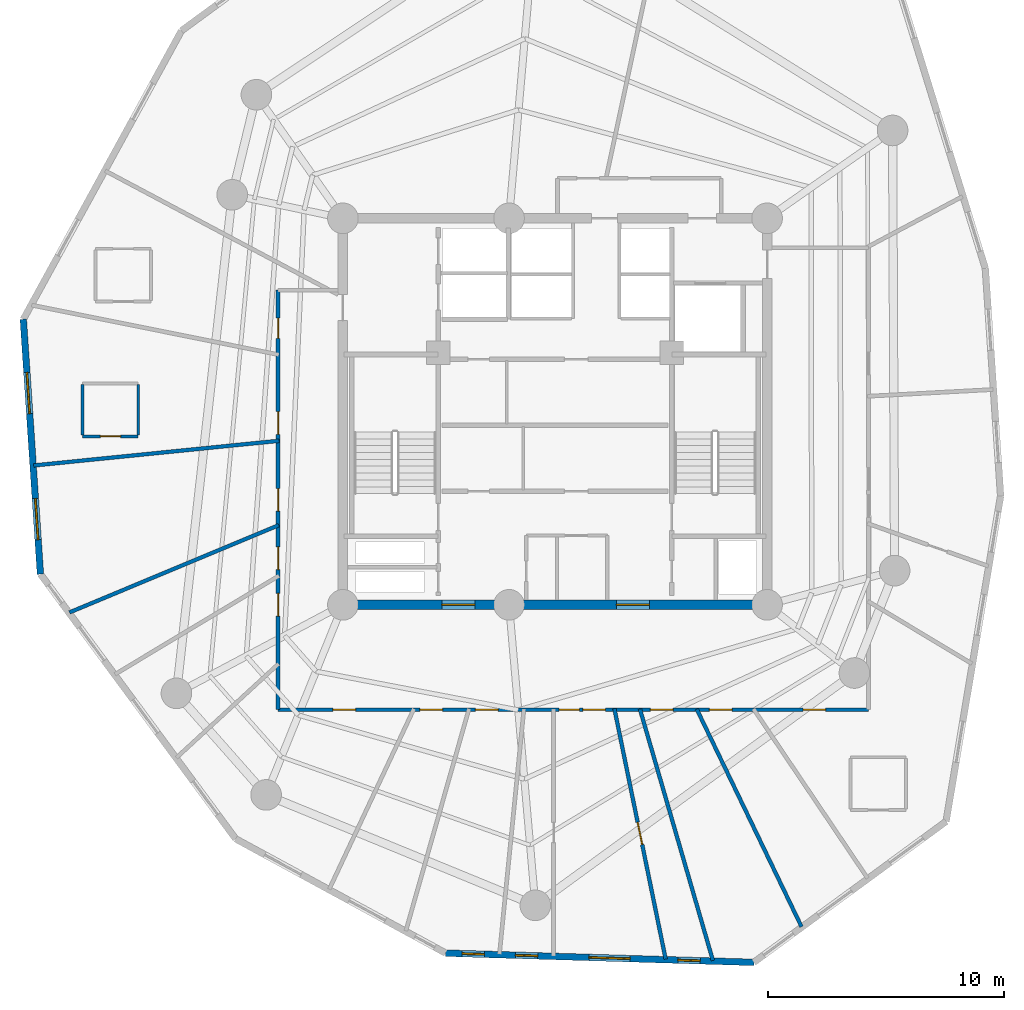
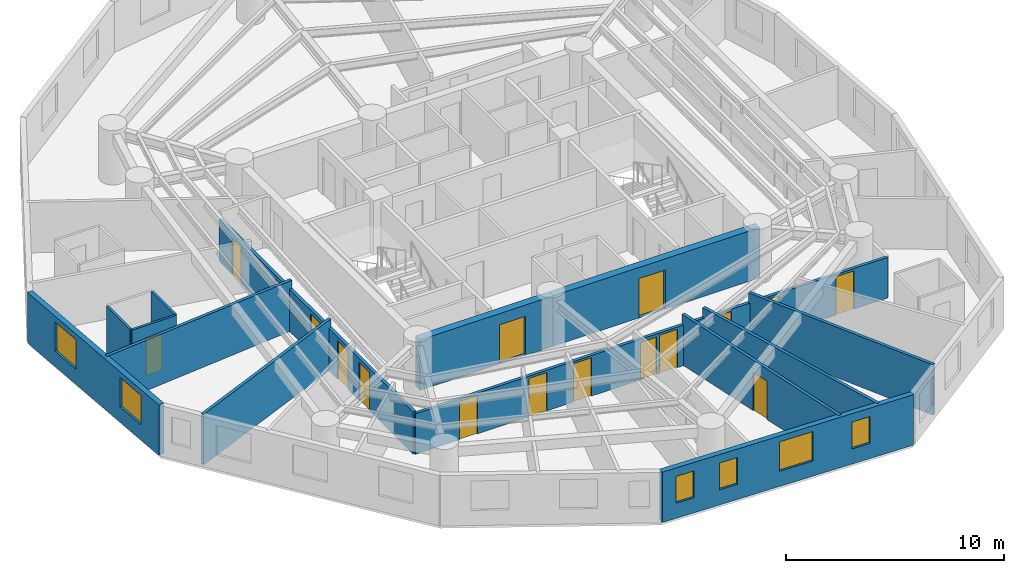
# One storey, part 3 of 7: 17 doors, 14 walls, 6 windows, 23 openings.
"""IFC4 building model written with IfcOpenShell, lengths in metres."""

import ifcopenshell
import ifcopenshell.guid

model = None  # the IFC model being written
_history = None  # IfcOwnerHistory: only IFC2X3 demands one
_inside = {}  # id of a spatial element -> (the spatial element, [elements in it])
_under = {}  # id of a project, library or spatial element -> (it, [spatial elements below it])
_declared = {}  # id of a project -> (the project, [libraries it declares])
_typed = {}  # id of a type object -> (the type object, [elements of that type])
_made_of = {}  # id of a material, layer set ... -> (it, [elements and type objects made of it])


def new_model(schema):
    """Start an empty IFC model of exactly this schema.

    Asked for "IFC4X3", IfcOpenShell would pick the latest addendum, in which some entities
    have other attributes; the version numbers below select the first issue.
    IFC2X3 requires an IfcOwnerHistory on every rooted entity: one is made here for all.
    """
    global model, _history
    if schema == "IFC4X3":
        model = ifcopenshell.file(schema_version=(4, 3, 0, 0))
    else:
        model = ifcopenshell.file(schema=schema)
    _inside.clear()
    _under.clear()
    _declared.clear()
    _typed.clear()
    _made_of.clear()
    _history = None
    if model.schema == "IFC2X3":
        org = make("IfcOrganization", Name="unknown")
        user = make(
            "IfcPersonAndOrganization",
            ThePerson=make("IfcPerson", FamilyName="unknown"),
            TheOrganization=org,
        )
        app = make(
            "IfcApplication",
            ApplicationDeveloper=org,
            Version="unknown",
            ApplicationFullName="unknown",
            ApplicationIdentifier="unknown",
        )
        _history = make(
            "IfcOwnerHistory",
            OwningUser=user,
            OwningApplication=app,
            ChangeAction="ADDED",
            CreationDate=0,
        )
    return model


def make(cls, **values):
    """One entity of the class cls with the attributes given. An attribute that is None is left unset."""
    return model.create_entity(
        cls, **{name: value for name, value in values.items() if value is not None}
    )


def rooted(cls, **values):
    """An entity with a GlobalId (a new one), such as an element, a storey or a relation."""
    return make(cls, GlobalId=ifcopenshell.guid.new(), OwnerHistory=_history, **values)


def si_unit(unit_type, name, prefix=None):
    """IfcSIUnit, for example si_unit("LENGTHUNIT", "METRE", prefix="MILLI")."""
    return make("IfcSIUnit", UnitType=unit_type, Prefix=prefix, Name=name)


def assignment(units):
    """IfcUnitAssignment: the units of a project."""
    return None if units is None else make("IfcUnitAssignment", Units=units)


def point(xyz):
    """IfcCartesianPoint."""
    return None if xyz is None else make("IfcCartesianPoint", Coordinates=xyz)


def direction(xyz):
    """IfcDirection."""
    return None if xyz is None else make("IfcDirection", DirectionRatios=xyz)


def frame(location, z_axis=None, x_axis=None):
    """IfcAxis2Placement3D, a coordinate frame: its origin and axes. An axis left out is left unset."""
    return make(
        "IfcAxis2Placement3D",
        Location=point(location),
        Axis=direction(z_axis),
        RefDirection=direction(x_axis),
    )


def frame_2d(location, x_axis=None):
    """IfcAxis2Placement2D, a coordinate frame in the plane: its origin and x axis."""
    return make(
        "IfcAxis2Placement2D", Location=point(location), RefDirection=direction(x_axis)
    )


def origin():
    """The frame at (0, 0, 0) with its axes left unset."""
    return frame((0.0, 0.0, 0.0))


def origin_with_axes():
    """The frame at (0, 0, 0) with the z axis (0, 0, 1) and the x axis (1, 0, 0) written out."""
    return frame((0.0, 0.0, 0.0), z_axis=(0.0, 0.0, 1.0), x_axis=(1.0, 0.0, 0.0))


def place(relative_to, where):
    """IfcLocalPlacement: puts the frame where relative to a parent placement (None: the world)."""
    return make(
        "IfcLocalPlacement", PlacementRelTo=relative_to, RelativePlacement=where
    )


def context(
    kind, dimensions, precision=None, world=None, true_north=None, identifier=None
):
    """IfcGeometricRepresentationContext, for example the 3D "Model" context."""
    return make(
        "IfcGeometricRepresentationContext",
        ContextIdentifier=identifier,
        ContextType=kind,
        CoordinateSpaceDimension=dimensions,
        Precision=precision,
        WorldCoordinateSystem=world,
        TrueNorth=true_north,
    )


def subcontext(parent, identifier, kind, view, scale=None):
    """IfcGeometricRepresentationSubContext, for example "Body" below "Model"."""
    return make(
        "IfcGeometricRepresentationSubContext",
        ContextIdentifier=identifier,
        ContextType=kind,
        ParentContext=parent,
        TargetScale=scale,
        TargetView=view,
    )


def project(units=None, contexts=None):
    """IfcProject with its units and contexts."""
    return rooted(
        "IfcProject",
        Name="project",
        RepresentationContexts=contexts,
        UnitsInContext=assignment(units),
    )


def spatial(cls, under=None, at=None, **own):
    """A site, building, storey or space (cls), placed at a placement, below another one or the project."""
    s = rooted(cls, ObjectPlacement=at, **own)
    if under is not None:
        _under.setdefault(under.id(), (under, []))[1].append(s)
    return s


def profile(cls, at=None, kind="AREA", **sizes):
    """A parametric profile (cls). Its sizes go by their IFC names, for example OverallWidth=200.0."""
    return make(cls, ProfileType=kind, Position=at, **sizes)


def rectangle(**sizes):
    """IfcRectangleProfileDef."""
    return profile("IfcRectangleProfileDef", **sizes)


def extrude(swept, where, along, depth):
    """IfcExtrudedAreaSolid: the profile swept, set in the frame where, extruded along a direction by depth."""
    return make(
        "IfcExtrudedAreaSolid",
        SweptArea=swept,
        Position=where,
        ExtrudedDirection=direction(along),
        Depth=depth,
    )


def shape(context_of_items, identifier, shape_type, items):
    """IfcShapeRepresentation: the items that make up one representation, for example the "Body"."""
    return make(
        "IfcShapeRepresentation",
        ContextOfItems=context_of_items,
        RepresentationIdentifier=identifier,
        RepresentationType=shape_type,
        Items=items,
    )


def source(mapping_origin, context_of_items, identifier, shape_type, items):
    """IfcRepresentationMap: a shape defined once, which mapped items show again and again."""
    return make(
        "IfcRepresentationMap",
        MappingOrigin=mapping_origin,
        MappedRepresentation=shape(context_of_items, identifier, shape_type, items),
    )


def transform(
    local_origin,
    x_axis=None,
    y_axis=None,
    z_axis=None,
    scale=None,
    scale2=None,
    scale3=None,
    uniform=True,
):
    """IfcCartesianTransformationOperator3D, or its non-uniform kind. x_axis, y_axis, z_axis: its Axis1, 2, 3."""
    if uniform:
        return make(
            "IfcCartesianTransformationOperator3D",
            Axis1=direction(x_axis),
            Axis2=direction(y_axis),
            LocalOrigin=point(local_origin),
            Scale=scale,
            Axis3=direction(z_axis),
        )
    return make(
        "IfcCartesianTransformationOperator3DnonUniform",
        Axis1=direction(x_axis),
        Axis2=direction(y_axis),
        LocalOrigin=point(local_origin),
        Scale=scale,
        Axis3=direction(z_axis),
        Scale2=scale2,
        Scale3=scale3,
    )


def mapped(mapping_source, mapping_target):
    """IfcMappedItem: shows the shape of a source again, moved by a transform."""
    return make(
        "IfcMappedItem", MappingSource=mapping_source, MappingTarget=mapping_target
    )


def material(Name=None, Category=None):
    """IfcMaterial."""
    return make("IfcMaterial", Name=Name, Category=Category)


def layer(
    of_material, thickness, ventilated=None, Name=None, Category=None, Priority=None
):
    """IfcMaterialLayer: one layer of a wall or slab, of a material (None: an air gap)."""
    return make(
        "IfcMaterialLayer",
        Material=of_material,
        LayerThickness=thickness,
        IsVentilated=ventilated,
        Name=Name,
        Category=Category,
        Priority=Priority,
    )


def layer_set(layers, Name=None):
    """IfcMaterialLayerSet."""
    return make("IfcMaterialLayerSet", MaterialLayers=layers, LayerSetName=Name)


def made_of(thing, what):
    """Note that an element or type object is made of a material, layer set ...; save() writes the relation."""
    if what is not None:
        _made_of.setdefault(what.id(), (what, []))[1].append(thing)
    return thing


def type_object(cls, material=None, **own):
    """A type object (cls), such as IfcWallType, which elements share."""
    return made_of(rooted(cls, **own), material)


def element(
    cls,
    number,
    at=None,
    inside=None,
    cuts=None,
    type_object=None,
    material=None,
    context=None,
    identifier="Body",
    shape_type=None,
    held_by="IfcProductDefinitionShape",
    body=None,
    shapes=None,
    **own,
):
    """One element of the class cls, such as IfcWall. Its Tag is "e" and its number.

    at: its placement. inside: the storey or other place that contains it. cuts: it is an
    opening in that element (IfcRelVoidsElement). A single representation is given by context,
    identifier, shape_type and body (its items); several are given by shapes. held_by: the class
    of the entity that holds the representations. save() writes the other relations.
    """
    e = rooted(cls, Tag="e%d" % number, ObjectPlacement=at, **own)
    if body is not None:
        shapes = [shape(context, identifier, shape_type, body)]
    if shapes is not None:
        e.Representation = make(held_by, Representations=shapes)
    if inside is not None:
        _inside.setdefault(inside.id(), (inside, []))[1].append(e)
    if cuts is not None:
        rooted(
            "IfcRelVoidsElement", RelatingBuildingElement=cuts, RelatedOpeningElement=e
        )
    if type_object is not None:
        _typed.setdefault(type_object.id(), (type_object, []))[1].append(e)
    return made_of(e, material)


def fill(opening, filler):
    """IfcRelFillsElement: the door or window that sits in an opening."""
    return rooted(
        "IfcRelFillsElement",
        RelatingOpeningElement=opening,
        RelatedBuildingElement=filler,
    )


def aggregate(whole, parts):
    """IfcRelAggregates: a whole, such as a stair, and the parts it consists of."""
    return rooted("IfcRelAggregates", RelatingObject=whole, RelatedObjects=parts)


def save(model, path):
    """Write the relations noted so far, then the file.

    IfcRelAggregates (storeys below a building ...), IfcRelContainedInSpatialStructure (elements
    in a storey), IfcRelDefinesByType, IfcRelAssociatesMaterial and IfcRelDeclares: one each for
    every whole, place, type object, material and project.
    """
    for whole, parts in _under.values():
        aggregate(whole, parts)
    for where, things in _inside.values():
        rooted(
            "IfcRelContainedInSpatialStructure",
            RelatedElements=things,
            RelatingStructure=where,
        )
    for kind, things in _typed.values():
        rooted("IfcRelDefinesByType", RelatedObjects=things, RelatingType=kind)
    for what, things in _made_of.values():
        rooted("IfcRelAssociatesMaterial", RelatedObjects=things, RelatingMaterial=what)
    for by, libraries in _declared.values():
        rooted("IfcRelDeclares", RelatingContext=by, RelatedDefinitions=libraries)
    model.write(path)


model = new_model("IFC4")

# Units and contexts
model_context = context("Model", 3, precision=1e-05, world=origin(), true_north=direction((0.0, 1.0)))
body_context = subcontext(model_context, "Body", "Model", "MODEL_VIEW")
ifc_project = project(units=[si_unit("LENGTHUNIT", "METRE"), si_unit("AREAUNIT", "SQUARE_METRE"), si_unit("VOLUMEUNIT", "CUBIC_METRE"), si_unit("PLANEANGLEUNIT", "RADIAN"), si_unit("MASSUNIT", "GRAM", prefix="KILO")], contexts=[model_context])

# Site, building, storey
site_placement = place(None, origin())
site = spatial("IfcSite", under=ifc_project, at=site_placement, CompositionType="ELEMENT")
building_placement = place(site_placement, origin())
building = spatial("IfcBuilding", under=site, at=building_placement, Name="Karkom Vertical University and Central Library", CompositionType="ELEMENT")
storey_placement = place(building_placement, frame((0.0, 0.0, 196.199951171875)))
storey = spatial("IfcBuildingStorey", under=building, at=storey_placement, Name="L57", CompositionType="ELEMENT", Elevation=196.199951171875)

# Wall, openings, windows
ifc_material_1 = material(Name="Brick-faced precast concrete C45/55", Category="masonry")
ifc_layer_1 = layer(ifc_material_1, 0.280029296875)
ifc_layer_set_1 = layer_set([ifc_layer_1], Name="Brick-faced precast concrete C45/55")
wall_type_1 = type_object("IfcWallType", Name="ENV-WL-BRK-280", PredefinedType="SOLIDWALL", material=ifc_layer_set_1)
wall_1_placement = place(storey_placement, frame((5.938232421875, 30.41845703125, 0.0), z_axis=(0.0, 0.0, 1.0), x_axis=(0.066973382018, -0.997754762505, 0.0)))
wall_1 = element("IfcWall", 1, at=wall_1_placement, inside=storey, type_object=wall_type_1, Name="Level 57 Brick-Faced Precast Facade Wall 01", PredefinedType="SOLIDWALL", context=body_context, shape_type="SweptSolid", body=[
    extrude(rectangle(XDim=10.84130859375, YDim=0.280029296875, at=frame_2d((5.420654296875, 0.0))), origin(), (0.0, 0.0, 1.0), 2.824951171875),
])
opening_1_placement = place(wall_1_placement, frame((2.265380859375, 0.0, 0.85009765625)))
opening_1 = element("IfcOpeningElement", 2, at=opening_1_placement, cuts=wall_1, Name="Opening WN-08", PredefinedType="OPENING", context=body_context, shape_type="SweptSolid", body=[
    extrude(rectangle(XDim=1.75, YDim=1.64990234375, at=frame_2d((0.875, 0.824951171875))), frame((0.0, 0.14990234375, 0.0), z_axis=(0.0, -1.0, 0.0), x_axis=(1.0, 0.0, 0.0)), (0.0, 0.0, 1.0), 0.300048828125),
])
opening_2_placement = place(wall_1_placement, frame((7.6259765625, 0.0, 0.85009765625)))
opening_2 = element("IfcOpeningElement", 3, at=opening_2_placement, cuts=wall_1, Name="Opening WN-08", PredefinedType="OPENING", context=body_context, shape_type="SweptSolid", body=[
    extrude(rectangle(XDim=1.75, YDim=1.64990234375, at=frame_2d((0.875, 0.824951171875))), frame((0.0, 0.14990234375, 0.0), z_axis=(0.0, -1.0, 0.0), x_axis=(1.0, 0.0, 0.0)), (0.0, 0.0, 1.0), 0.300048828125),
])
ifc_material_2 = material(Name="Aluminium thermal-break frame with solar-control IGU", Category="aluminium")
window_type_1 = type_object("IfcWindowType", Name="ENV-WIN-WN-08", PartitioningType="SINGLE_PANEL", PredefinedType="WINDOW", material=ifc_material_2)
shared_shape_1 = source(origin_with_axes(), body_context, "Body", "SweptSolid", [
    extrude(rectangle(XDim=1.75, YDim=1.64990234375, at=frame_2d((0.875, 0.824951171875))), frame((0.0, 0.030029296875, 0.0), z_axis=(0.0, -1.0, 0.0), x_axis=(1.0, 0.0, 0.0)), (0.0, 0.0, 1.0), 0.06005859375),
])
window_1_placement = place(opening_1_placement, origin())
window_1 = element("IfcWindow", 4, at=window_1_placement, inside=storey, type_object=window_type_1, Name="Level 57 Punched Window 1.1", OverallHeight=1.64990234375, OverallWidth=1.75, PartitioningType="SINGLE_PANEL", PredefinedType="WINDOW", context=body_context, shape_type="MappedRepresentation", body=[
    mapped(shared_shape_1, transform((0.0, 0.0, 0.0), scale=1.0)),
])
fill(opening_1, window_1)
window_2_placement = place(opening_2_placement, origin())
window_2 = element("IfcWindow", 5, at=window_2_placement, inside=storey, type_object=window_type_1, Name="Level 57 Punched Window 1.2", OverallHeight=1.64990234375, OverallWidth=1.75, PartitioningType="SINGLE_PANEL", PredefinedType="WINDOW", context=body_context, shape_type="MappedRepresentation", body=[
    mapped(shared_shape_1, transform((0.0, 0.0, 0.0), scale=1.0)),
])
fill(opening_2, window_2)

wall_2_placement = place(storey_placement, frame((23.85400390625, 3.520263671875, 0.0), z_axis=(0.0, 0.0, 1.0), x_axis=(0.999549542864, -0.03001185367, 0.0)))
wall_2 = element("IfcWall", 6, at=wall_2_placement, inside=storey, type_object=wall_type_1, Name="Level 57 Brick-Faced Precast Facade Wall 04", PredefinedType="SOLIDWALL", context=body_context, shape_type="SweptSolid", body=[
    extrude(rectangle(XDim=13.0888671875, YDim=0.280029296875, at=frame_2d((6.54443359375, 0.0))), origin(), (0.0, 0.0, 1.0), 2.824951171875),
])
opening_3_placement = place(wall_2_placement, frame((0.70068359375, 0.0, 0.85009765625)))
opening_3 = element("IfcOpeningElement", 7, at=opening_3_placement, cuts=wall_2, Name="Opening WN-12", PredefinedType="OPENING", context=body_context, shape_type="SweptSolid", body=[
    extrude(rectangle(XDim=0.949951171875, YDim=1.5, at=frame_2d((0.47509765625, 0.75))), frame((0.0, 0.14990234375, 0.0), z_axis=(0.0, -1.0, 0.0), x_axis=(1.0, 0.0, 0.0)), (0.0, 0.0, 1.0), 0.300048828125),
])
opening_4_placement = place(wall_2_placement, frame((2.96435546875, 0.0, 0.85009765625)))
opening_4 = element("IfcOpeningElement", 8, at=opening_4_placement, cuts=wall_2, Name="Opening WN-12", PredefinedType="OPENING", context=body_context, shape_type="SweptSolid", body=[
    extrude(rectangle(XDim=0.949951171875, YDim=1.5, at=frame_2d((0.47509765625, 0.75))), frame((0.0, 0.14990234375, 0.0), z_axis=(0.0, -1.0, 0.0), x_axis=(1.0, 0.0, 0.0)), (0.0, 0.0, 1.0), 0.300048828125),
])
opening_5_placement = place(wall_2_placement, frame((6.0869140625, 0.0, 0.85009765625)))
opening_5 = element("IfcOpeningElement", 9, at=opening_5_placement, cuts=wall_2, Name="Opening WN-08", PredefinedType="OPENING", context=body_context, shape_type="SweptSolid", body=[
    extrude(rectangle(XDim=1.75, YDim=1.64990234375, at=frame_2d((0.875, 0.824951171875))), frame((0.0, 0.14990234375, 0.0), z_axis=(0.0, -1.0, 0.0), x_axis=(1.0, 0.0, 0.0)), (0.0, 0.0, 1.0), 0.300048828125),
])
opening_6_placement = place(wall_2_placement, frame((9.86279296875, 0.0, 0.85009765625)))
opening_6 = element("IfcOpeningElement", 10, at=opening_6_placement, cuts=wall_2, Name="Opening WN-12", PredefinedType="OPENING", context=body_context, shape_type="SweptSolid", body=[
    extrude(rectangle(XDim=0.949951171875, YDim=1.5, at=frame_2d((0.47509765625, 0.75))), frame((0.0, 0.14990234375, 0.0), z_axis=(0.0, -1.0, 0.0), x_axis=(1.0, 0.0, 0.0)), (0.0, 0.0, 1.0), 0.300048828125),
])
window_type_2 = type_object("IfcWindowType", Name="ENV-WIN-WN-12", PartitioningType="SINGLE_PANEL", PredefinedType="WINDOW", material=ifc_material_2)
shared_shape_2 = source(origin_with_axes(), body_context, "Body", "SweptSolid", [
    extrude(rectangle(XDim=0.949951171875, YDim=1.5, at=frame_2d((0.47509765625, 0.75))), frame((0.0, 0.030029296875, 0.0), z_axis=(0.0, -1.0, 0.0), x_axis=(1.0, 0.0, 0.0)), (0.0, 0.0, 1.0), 0.06005859375),
])
window_3_placement = place(opening_3_placement, origin())
window_3 = element("IfcWindow", 11, at=window_3_placement, inside=storey, type_object=window_type_2, Name="Level 57 Punched Window 4.1", OverallHeight=1.5, OverallWidth=0.949951171875, PartitioningType="SINGLE_PANEL", PredefinedType="WINDOW", context=body_context, shape_type="MappedRepresentation", body=[
    mapped(shared_shape_2, transform((0.0, 0.0, 0.0), scale=1.0)),
])
fill(opening_3, window_3)
window_4_placement = place(opening_4_placement, origin())
window_4 = element("IfcWindow", 12, at=window_4_placement, inside=storey, type_object=window_type_2, Name="Level 57 Punched Window 4.2", OverallHeight=1.5, OverallWidth=0.949951171875, PartitioningType="SINGLE_PANEL", PredefinedType="WINDOW", context=body_context, shape_type="MappedRepresentation", body=[
    mapped(shared_shape_2, transform((0.0, 0.0, 0.0), scale=1.0)),
])
fill(opening_4, window_4)
window_5_placement = place(opening_6_placement, origin())
window_5 = element("IfcWindow", 13, at=window_5_placement, inside=storey, type_object=window_type_2, Name="Level 57 Punched Window 4.4", OverallHeight=1.5, OverallWidth=0.949951171875, PartitioningType="SINGLE_PANEL", PredefinedType="WINDOW", context=body_context, shape_type="MappedRepresentation", body=[
    mapped(shared_shape_2, transform((0.0, 0.0, 0.0), scale=1.0)),
])
fill(opening_6, window_5)
window_6_placement = place(opening_5_placement, origin())
window_6 = element("IfcWindow", 14, at=window_6_placement, inside=storey, type_object=window_type_1, Name="Level 57 Punched Window 4.3", OverallHeight=1.64990234375, OverallWidth=1.75, PartitioningType="SINGLE_PANEL", PredefinedType="WINDOW", context=body_context, shape_type="MappedRepresentation", body=[
    mapped(shared_shape_1, transform((0.0, 0.0, 0.0), scale=1.0)),
])
fill(opening_5, window_6)

# Wall, openings, doors
ifc_material_3 = material(Name="Insulated metal-stud drywall 160mm", Category="gypsum")
ifc_layer_2 = layer(ifc_material_3, 0.159912109375)
ifc_layer_set_2 = layer_set([ifc_layer_2], Name="Insulated metal-stud drywall 160mm")
wall_type_2 = type_object("IfcWallType", Name="INT-WL-COR-160", PredefinedType="PARTITIONING", material=ifc_layer_set_2)
wall_3_placement = place(storey_placement, frame((41.800048828125, 13.85009765625, 0.0), z_axis=(0.0, 0.0, 1.0), x_axis=(-1.0, 0.0, 0.0)))
wall_3 = element("IfcWall", 15, at=wall_3_placement, inside=storey, type_object=wall_type_2, Name="Level 57 Interior Partition Wall L57-CORW-CW-001", PredefinedType="PARTITIONING", context=body_context, shape_type="SweptSolid", body=[
    extrude(rectangle(XDim=25.050048828125, YDim=0.159912109375, at=frame_2d((12.52490234375, 0.0))), origin(), (0.0, 0.0, 1.0), 2.275146484375),
])
opening_7_placement = place(wall_3_placement, frame((1.812255859375, 0.0, 0.0)))
opening_7 = element("IfcOpeningElement", 16, at=opening_7_placement, cuts=wall_3, Name="Opening FD-RM2", PredefinedType="OPENING", context=body_context, shape_type="SweptSolid", body=[
    extrude(rectangle(XDim=0.9599609375, YDim=2.14990234375, at=frame_2d((0.47998046875, 1.074951171875))), frame((0.0, 0.08984375, 0.0), z_axis=(0.0, -1.0, 0.0), x_axis=(1.0, 0.0, 0.0)), (0.0, 0.0, 1.0), 0.179931640625),
])
opening_8_placement = place(wall_3_placement, frame((21.760986328125, 0.0, 0.0)))
opening_8 = element("IfcOpeningElement", 17, at=opening_8_placement, cuts=wall_3, Name="Opening FD-RM2", PredefinedType="OPENING", context=body_context, shape_type="SweptSolid", body=[
    extrude(rectangle(XDim=0.9599609375, YDim=2.14990234375, at=frame_2d((0.47998046875, 1.074951171875))), frame((0.0, 0.08984375, 0.0), z_axis=(0.0, -1.0, 0.0), x_axis=(1.0, 0.0, 0.0)), (0.0, 0.0, 1.0), 0.179931640625),
])
opening_9_placement = place(wall_3_placement, frame((18.072509765625, 0.0, 0.0)))
opening_9 = element("IfcOpeningElement", 18, at=opening_9_placement, cuts=wall_3, Name="Opening FD-RM2", PredefinedType="OPENING", context=body_context, shape_type="SweptSolid", body=[
    extrude(rectangle(XDim=0.9599609375, YDim=2.14990234375, at=frame_2d((0.47998046875, 1.074951171875))), frame((0.0, 0.08984375, 0.0), z_axis=(0.0, -1.0, 0.0), x_axis=(1.0, 0.0, 0.0)), (0.0, 0.0, 1.0), 0.179931640625),
])
opening_10_placement = place(wall_3_placement, frame((15.717529296875, 0.0, 0.0)))
opening_10 = element("IfcOpeningElement", 19, at=opening_10_placement, cuts=wall_3, Name="Opening FD-RM2", PredefinedType="OPENING", context=body_context, shape_type="SweptSolid", body=[
    extrude(rectangle(XDim=0.9599609375, YDim=2.14990234375, at=frame_2d((0.47998046875, 1.074951171875))), frame((0.0, 0.08984375, 0.0), z_axis=(0.0, -1.0, 0.0), x_axis=(1.0, 0.0, 0.0)), (0.0, 0.0, 1.0), 0.179931640625),
])
opening_11_placement = place(wall_3_placement, frame((12.264404296875, 0.0, 0.0)))
opening_11 = element("IfcOpeningElement", 20, at=opening_11_placement, cuts=wall_3, Name="Opening FD-BTH1", PredefinedType="OPENING", context=body_context, shape_type="SweptSolid", body=[
    extrude(rectangle(XDim=0.860107421875, YDim=2.10009765625, at=frame_2d((0.43017578125, 1.050048828125))), frame((0.0, 0.08984375, 0.0), z_axis=(0.0, -1.0, 0.0), x_axis=(1.0, 0.0, 0.0)), (0.0, 0.0, 1.0), 0.179931640625),
])
opening_12_placement = place(wall_3_placement, frame((11.159912109375, 0.0, 0.0)))
opening_12 = element("IfcOpeningElement", 21, at=opening_12_placement, cuts=wall_3, Name="Opening FD-RM2", PredefinedType="OPENING", context=body_context, shape_type="SweptSolid", body=[
    extrude(rectangle(XDim=0.9599609375, YDim=2.14990234375, at=frame_2d((0.47998046875, 1.074951171875))), frame((0.0, 0.08984375, 0.0), z_axis=(0.0, -1.0, 0.0), x_axis=(1.0, 0.0, 0.0)), (0.0, 0.0, 1.0), 0.179931640625),
])
opening_13_placement = place(wall_3_placement, frame((8.29248046875, 0.0, 0.0)))
opening_13 = element("IfcOpeningElement", 22, at=opening_13_placement, cuts=wall_3, Name="Opening FD-RM2", PredefinedType="OPENING", context=body_context, shape_type="SweptSolid", body=[
    extrude(rectangle(XDim=0.9599609375, YDim=2.14990234375, at=frame_2d((0.47998046875, 1.074951171875))), frame((0.0, 0.08984375, 0.0), z_axis=(0.0, -1.0, 0.0), x_axis=(1.0, 0.0, 0.0)), (0.0, 0.0, 1.0), 0.179931640625),
])
opening_14_placement = place(wall_3_placement, frame((5.78759765625, 0.0, 0.0)))
opening_14 = element("IfcOpeningElement", 23, at=opening_14_placement, cuts=wall_3, Name="Opening FD-RM2", PredefinedType="OPENING", context=body_context, shape_type="SweptSolid", body=[
    extrude(rectangle(XDim=0.9599609375, YDim=2.14990234375, at=frame_2d((0.47998046875, 1.074951171875))), frame((0.0, 0.08984375, 0.0), z_axis=(0.0, -1.0, 0.0), x_axis=(1.0, 0.0, 0.0)), (0.0, 0.0, 1.0), 0.179931640625),
])
ifc_material_4 = material(Name="Fire-rated oak veneer door", Category="wood")
door_type_1 = type_object("IfcDoorType", Name="INT-DR-FRM2", OperationType="NOTDEFINED", PredefinedType="DOOR", material=ifc_material_4)
shared_shape_3 = source(origin_with_axes(), body_context, "Body", "SweptSolid", [
    extrude(rectangle(XDim=0.9599609375, YDim=2.14990234375, at=frame_2d((0.47998046875, 1.074951171875))), frame((0.0, 0.02490234375, 0.0), z_axis=(0.0, -1.0, 0.0), x_axis=(1.0, 0.0, 0.0)), (0.0, 0.0, 1.0), 0.050048828125),
])
door_1_placement = place(opening_7_placement, origin())
door_1 = element("IfcDoor", 24, at=door_1_placement, inside=storey, type_object=door_type_1, Name="Level 57 Room Entry Door 110", OperationType="SINGLE_SWING_RIGHT", OverallHeight=2.14990234375, OverallWidth=0.9599609375, PredefinedType="DOOR", context=body_context, shape_type="MappedRepresentation", body=[
    mapped(shared_shape_3, transform((0.0, 0.0, 0.0), scale=1.0)),
])
fill(opening_7, door_1)
door_2_placement = place(opening_8_placement, origin())
door_2 = element("IfcDoor", 25, at=door_2_placement, inside=storey, type_object=door_type_1, Name="Level 57 Room Entry Door 031", OperationType="SINGLE_SWING_LEFT", OverallHeight=2.14990234375, OverallWidth=0.9599609375, PredefinedType="DOOR", context=body_context, shape_type="MappedRepresentation", body=[
    mapped(shared_shape_3, transform((0.0, 0.0, 0.0), scale=1.0)),
])
fill(opening_8, door_2)
door_3_placement = place(opening_9_placement, origin())
door_3 = element("IfcDoor", 26, at=door_3_placement, inside=storey, type_object=door_type_1, Name="Level 57 Room Entry Door 041", OperationType="SINGLE_SWING_RIGHT", OverallHeight=2.14990234375, OverallWidth=0.9599609375, PredefinedType="DOOR", context=body_context, shape_type="MappedRepresentation", body=[
    mapped(shared_shape_3, transform((0.0, 0.0, 0.0), scale=1.0)),
])
fill(opening_9, door_3)
door_4_placement = place(opening_10_placement, origin())
door_4 = element("IfcDoor", 27, at=door_4_placement, inside=storey, type_object=door_type_1, Name="Level 57 Room Entry Door 051", OperationType="SINGLE_SWING_LEFT", OverallHeight=2.14990234375, OverallWidth=0.9599609375, PredefinedType="DOOR", context=body_context, shape_type="MappedRepresentation", body=[
    mapped(shared_shape_3, transform((0.0, 0.0, 0.0), scale=1.0)),
])
fill(opening_10, door_4)
door_5_placement = place(opening_12_placement, origin())
door_5 = element("IfcDoor", 28, at=door_5_placement, inside=storey, type_object=door_type_1, Name="Level 57 Room Entry Door 071", OperationType="SINGLE_SWING_LEFT", OverallHeight=2.14990234375, OverallWidth=0.9599609375, PredefinedType="DOOR", context=body_context, shape_type="MappedRepresentation", body=[
    mapped(shared_shape_3, transform((0.0, 0.0, 0.0), scale=1.0)),
])
fill(opening_12, door_5)
door_6_placement = place(opening_13_placement, origin())
door_6 = element("IfcDoor", 29, at=door_6_placement, inside=storey, type_object=door_type_1, Name="Level 57 Room Entry Door 091", OperationType="SINGLE_SWING_RIGHT", OverallHeight=2.14990234375, OverallWidth=0.9599609375, PredefinedType="DOOR", context=body_context, shape_type="MappedRepresentation", body=[
    mapped(shared_shape_3, transform((0.0, 0.0, 0.0), scale=1.0)),
])
fill(opening_13, door_6)
door_7_placement = place(opening_14_placement, origin())
door_7 = element("IfcDoor", 30, at=door_7_placement, inside=storey, type_object=door_type_1, Name="Level 57 Room Entry Door 101", OperationType="SINGLE_SWING_LEFT", OverallHeight=2.14990234375, OverallWidth=0.9599609375, PredefinedType="DOOR", context=body_context, shape_type="MappedRepresentation", body=[
    mapped(shared_shape_3, transform((0.0, 0.0, 0.0), scale=1.0)),
])
fill(opening_14, door_7)
ifc_material_5 = material(Name="Fire-rated moisture-resistant oak door", Category="wood")
door_type_2 = type_object("IfcDoorType", Name="INT-DR-FBTH1", OperationType="NOTDEFINED", PredefinedType="DOOR", material=ifc_material_5)
shared_shape_4 = source(origin_with_axes(), body_context, "Body", "SweptSolid", [
    extrude(rectangle(XDim=0.860107421875, YDim=2.10009765625, at=frame_2d((0.43017578125, 1.050048828125))), frame((0.0, 0.02490234375, 0.0), z_axis=(0.0, -1.0, 0.0), x_axis=(1.0, 0.0, 0.0)), (0.0, 0.0, 1.0), 0.050048828125),
])
door_8_placement = place(opening_11_placement, origin())
door_8 = element("IfcDoor", 31, at=door_8_placement, inside=storey, type_object=door_type_2, Name="Level 57 Room Entry Door 061", OperationType="SINGLE_SWING_RIGHT", OverallHeight=2.10009765625, OverallWidth=0.860107421875, PredefinedType="DOOR", context=body_context, shape_type="MappedRepresentation", body=[
    mapped(shared_shape_4, transform((0.0, 0.0, 0.0), scale=1.0)),
])
fill(opening_11, door_8)

wall_4_placement = place(storey_placement, frame((16.75, 13.85009765625, 0.0), z_axis=(0.0, 0.0, 1.0), x_axis=(0.0, 1.0, 0.0)))
wall_4 = element("IfcWall", 32, at=wall_4_placement, inside=storey, type_object=wall_type_2, Name="Level 57 Interior Partition Wall L57-CORW-CW-002", PredefinedType="PARTITIONING", context=body_context, shape_type="SweptSolid", body=[
    extrude(rectangle(XDim=17.7998046875, YDim=0.159912109375, at=frame_2d((8.89990234375, 0.0))), origin(), (0.0, 0.0, 1.0), 2.375),
])
opening_15_placement = place(wall_4_placement, frame((11.68505859375, 0.0, 0.0)))
opening_15 = element("IfcOpeningElement", 33, at=opening_15_placement, cuts=wall_4, Name="Opening FD-RM2", PredefinedType="OPENING", context=body_context, shape_type="SweptSolid", body=[
    extrude(rectangle(XDim=0.9599609375, YDim=2.14990234375, at=frame_2d((0.47998046875, 1.074951171875))), frame((0.0, 0.08984375, 0.0), z_axis=(0.0, -1.0, 0.0), x_axis=(1.0, 0.0, 0.0)), (0.0, 0.0, 1.0), 0.179931640625),
])
opening_16_placement = place(wall_4_placement, frame((8.425048828125, 0.0, 0.0)))
opening_16 = element("IfcOpeningElement", 34, at=opening_16_placement, cuts=wall_4, Name="Opening FD-RM2", PredefinedType="OPENING", context=body_context, shape_type="SweptSolid", body=[
    extrude(rectangle(XDim=0.9599609375, YDim=2.14990234375, at=frame_2d((0.47998046875, 1.074951171875))), frame((0.0, 0.08984375, 0.0), z_axis=(0.0, -1.0, 0.0), x_axis=(1.0, 0.0, 0.0)), (0.0, 0.0, 1.0), 0.179931640625),
])
opening_17_placement = place(wall_4_placement, frame((5.945068359375, 0.0, 0.0)))
opening_17 = element("IfcOpeningElement", 35, at=opening_17_placement, cuts=wall_4, Name="Opening FD-RM2", PredefinedType="OPENING", context=body_context, shape_type="SweptSolid", body=[
    extrude(rectangle(XDim=0.9599609375, YDim=2.14990234375, at=frame_2d((0.47998046875, 1.074951171875))), frame((0.0, 0.08984375, 0.0), z_axis=(0.0, -1.0, 0.0), x_axis=(1.0, 0.0, 0.0)), (0.0, 0.0, 1.0), 0.179931640625),
])
opening_18_placement = place(wall_4_placement, frame((3.97509765625, 0.0, 0.0)))
opening_18 = element("IfcOpeningElement", 36, at=opening_18_placement, cuts=wall_4, Name="Opening FD-RM2", PredefinedType="OPENING", context=body_context, shape_type="SweptSolid", body=[
    extrude(rectangle(XDim=0.9599609375, YDim=2.14990234375, at=frame_2d((0.47998046875, 1.074951171875))), frame((0.0, 0.08984375, 0.0), z_axis=(0.0, -1.0, 0.0), x_axis=(1.0, 0.0, 0.0)), (0.0, 0.0, 1.0), 0.179931640625),
])
opening_19_placement = place(wall_4_placement, frame((15.759521484375, 0.0, 0.0)))
opening_19 = element("IfcOpeningElement", 37, at=opening_19_placement, cuts=wall_4, Name="Opening FD-BTH2", PredefinedType="OPENING", context=body_context, shape_type="SweptSolid", body=[
    extrude(rectangle(XDim=0.860107421875, YDim=2.0400390625, at=frame_2d((0.43017578125, 1.02001953125))), frame((0.0, 0.08984375, 0.0), z_axis=(0.0, -1.0, 0.0), x_axis=(1.0, 0.0, 0.0)), (0.0, 0.0, 1.0), 0.179931640625),
])
door_9_placement = place(opening_15_placement, origin())
door_9 = element("IfcDoor", 38, at=door_9_placement, inside=storey, type_object=door_type_1, Name="Level 57 Room Entry Door 180", OperationType="SINGLE_SWING_LEFT", OverallHeight=2.14990234375, OverallWidth=0.9599609375, PredefinedType="DOOR", context=body_context, shape_type="MappedRepresentation", body=[
    mapped(shared_shape_3, transform((0.0, 0.0, 0.0), scale=1.0)),
])
fill(opening_15, door_9)
door_10_placement = place(opening_16_placement, origin())
door_10 = element("IfcDoor", 39, at=door_10_placement, inside=storey, type_object=door_type_1, Name="Level 57 Room Entry Door 001", OperationType="SINGLE_SWING_RIGHT", OverallHeight=2.14990234375, OverallWidth=0.9599609375, PredefinedType="DOOR", context=body_context, shape_type="MappedRepresentation", body=[
    mapped(shared_shape_3, transform((0.0, 0.0, 0.0), scale=1.0)),
])
fill(opening_16, door_10)
door_11_placement = place(opening_17_placement, origin())
door_11 = element("IfcDoor", 40, at=door_11_placement, inside=storey, type_object=door_type_1, Name="Level 57 Room Entry Door 011", OperationType="SINGLE_SWING_LEFT", OverallHeight=2.14990234375, OverallWidth=0.9599609375, PredefinedType="DOOR", context=body_context, shape_type="MappedRepresentation", body=[
    mapped(shared_shape_3, transform((0.0, 0.0, 0.0), scale=1.0)),
])
fill(opening_17, door_11)
door_12_placement = place(opening_18_placement, origin())
door_12 = element("IfcDoor", 41, at=door_12_placement, inside=storey, type_object=door_type_1, Name="Level 57 Room Entry Door 021", OperationType="SINGLE_SWING_RIGHT", OverallHeight=2.14990234375, OverallWidth=0.9599609375, PredefinedType="DOOR", context=body_context, shape_type="MappedRepresentation", body=[
    mapped(shared_shape_3, transform((0.0, 0.0, 0.0), scale=1.0)),
])
fill(opening_18, door_12)
door_type_3 = type_object("IfcDoorType", Name="INT-DR-FBTH2", OperationType="NOTDEFINED", PredefinedType="DOOR", material=ifc_material_5)
shared_shape_5 = source(origin_with_axes(), body_context, "Body", "SweptSolid", [
    extrude(rectangle(XDim=0.860107421875, YDim=2.0400390625, at=frame_2d((0.43017578125, 1.02001953125))), frame((0.0, 0.02490234375, 0.0), z_axis=(0.0, -1.0, 0.0), x_axis=(1.0, 0.0, 0.0)), (0.0, 0.0, 1.0), 0.050048828125),
])
door_13_placement = place(opening_19_placement, origin())
door_13 = element("IfcDoor", 42, at=door_13_placement, inside=storey, type_object=door_type_3, Name="Level 57 Key L57-17 Visiting Scholar Hotel Room Entry Door", OperationType="SINGLE_SWING_RIGHT", OverallHeight=2.0400390625, OverallWidth=0.860107421875, PredefinedType="DOOR", context=body_context, shape_type="MappedRepresentation", body=[
    mapped(shared_shape_5, transform((0.0, 0.0, 0.0), scale=1.0)),
])
fill(opening_19, door_13)

# Wall
wall_5_placement = place(storey_placement, frame((32.101806640625, 13.87890625, 0.0), z_axis=(0.0, 0.0, 1.0), x_axis=(0.278816077775, -0.960344518792, 0.0)))
element("IfcWall", 43, at=wall_5_placement, inside=storey, type_object=wall_type_2, Name="Level 57 Interior Partition Wall L57-PW-010", PredefinedType="PARTITIONING", context=body_context, shape_type="SweptSolid", body=[
    extrude(rectangle(XDim=11.11181640625, YDim=0.159912109375, at=frame_2d((5.555908203125, 0.0))), origin(), (0.0, 0.0, 1.0), 2.824951171875),
])

# Wall, opening, door
wall_6_placement = place(storey_placement, frame((31.01953125, 13.89404296875, 0.0), z_axis=(0.0, 0.0, 1.0), x_axis=(0.200571994898, -0.979678965204, 0.0)))
wall_6 = element("IfcWall", 44, at=wall_6_placement, inside=storey, type_object=wall_type_2, Name="Level 57 Interior Partition Wall L57-PW-009", PredefinedType="PARTITIONING", context=body_context, shape_type="SweptSolid", body=[
    extrude(rectangle(XDim=10.847900390625, YDim=0.159912109375, at=frame_2d((5.423828125, 0.0))), origin(), (0.0, 0.0, 1.0), 2.824951171875),
])
opening_20_placement = place(wall_6_placement, frame((4.924072265625, 0.0, 0.0)))
opening_20 = element("IfcOpeningElement", 45, at=opening_20_placement, cuts=wall_6, Name="Opening FD-RM2", PredefinedType="OPENING", context=body_context, shape_type="SweptSolid", body=[
    extrude(rectangle(XDim=0.9599609375, YDim=2.14990234375, at=frame_2d((0.47998046875, 1.074951171875))), frame((0.0, 0.08984375, 0.0), z_axis=(0.0, -1.0, 0.0), x_axis=(1.0, 0.0, 0.0)), (0.0, 0.0, 1.0), 0.179931640625),
])
door_14_placement = place(opening_20_placement, origin())
door_14 = element("IfcDoor", 46, at=door_14_placement, inside=storey, type_object=door_type_1, Name="Level 57 Room Entry Door 081", OperationType="SINGLE_SWING_LEFT", OverallHeight=2.14990234375, OverallWidth=0.9599609375, PredefinedType="DOOR", context=body_context, shape_type="MappedRepresentation", body=[
    mapped(shared_shape_3, transform((0.0, 0.0, 0.0), scale=1.0)),
])
fill(opening_20, door_14)

# Walls
wall_7_placement = place(storey_placement, frame((6.3798828125, 24.212158203125, 0.0), z_axis=(0.0, 0.0, 1.0), x_axis=(0.99496767222, 0.100196463194, 0.0)))
element("IfcWall", 47, at=wall_7_placement, inside=storey, type_object=wall_type_2, Name="Level 57 Interior Partition Wall L57-PW-002", PredefinedType="PARTITIONING", context=body_context, shape_type="SweptSolid", body=[
    extrude(rectangle(XDim=10.4677734375, YDim=0.159912109375, at=frame_2d((5.23388671875, 0.0))), origin(), (0.0, 0.0, 1.0), 2.824951171875),
])
wall_8_placement = place(storey_placement, frame((34.512451171875, 13.876953125, 0.0), z_axis=(0.0, 0.0, 1.0), x_axis=(0.433892247425, -0.900964770468, 0.0)))
element("IfcWall", 48, at=wall_8_placement, inside=storey, type_object=wall_type_2, Name="Level 57 Interior Partition Wall L57-PW-011", PredefinedType="PARTITIONING", context=body_context, shape_type="SweptSolid", body=[
    extrude(rectangle(XDim=10.249755859375, YDim=0.159912109375, at=frame_2d((5.125, 0.0))), origin(), (0.0, 0.0, 1.0), 2.824951171875),
])
wall_9_placement = place(storey_placement, frame((16.777587890625, 21.678955078125, 0.0), z_axis=(0.0, 0.0, 1.0), x_axis=(-0.923025871102, -0.384737886459, 0.0)))
element("IfcWall", 49, at=wall_9_placement, inside=storey, type_object=wall_type_2, Name="Level 57 Interior Partition Wall L57-PW-001", PredefinedType="PARTITIONING", context=body_context, shape_type="SweptSolid", body=[
    extrude(rectangle(XDim=9.62255859375, YDim=0.159912109375, at=frame_2d((4.811279296875, 0.0))), origin(), (0.0, 0.0, 1.0), 2.824951171875),
])

# Wall, opening, door
ifc_material_6 = material(Name="Moisture-resistant drywall 120mm", Category="gypsum")
ifc_layer_3 = layer(ifc_material_6, 0.1201171875)
ifc_layer_set_3 = layer_set([ifc_layer_3], Name="Moisture-resistant drywall 120mm")
wall_type_3 = type_object("IfcWallType", Name="INT-WL-INT-120F", PredefinedType="PARTITIONING", material=ifc_layer_set_3)
wall_10_placement = place(storey_placement, frame((8.4541015625, 25.448974609375, 0.0), z_axis=(0.0, 0.0, 1.0), x_axis=(1.0, 0.0, 0.0)))
wall_10 = element("IfcWall", 50, at=wall_10_placement, inside=storey, type_object=wall_type_3, Name="Level 57 Interior Partition Wall L57-ENS-18-S", PredefinedType="PARTITIONING", context=body_context, shape_type="SweptSolid", body=[
    extrude(rectangle(XDim=2.35986328125, YDim=0.1201171875, at=frame_2d((1.179931640625, 0.0))), origin(), (0.0, 0.0, 1.0), 2.824951171875),
])
opening_21_placement = place(wall_10_placement, frame((0.75, 0.0, 0.0)))
opening_21 = element("IfcOpeningElement", 51, at=opening_21_placement, cuts=wall_10, Name="Opening D-BTH2", PredefinedType="OPENING", context=body_context, shape_type="SweptSolid", body=[
    extrude(rectangle(XDim=0.860107421875, YDim=2.0400390625, at=frame_2d((0.43017578125, 1.02001953125))), frame((0.0, 0.070068359375, 0.0), z_axis=(0.0, -1.0, 0.0), x_axis=(1.0, 0.0, 0.0)), (0.0, 0.0, 1.0), 0.14013671875),
])
ifc_material_7 = material(Name="Moisture-resistant oak door", Category="wood")
door_type_4 = type_object("IfcDoorType", Name="INT-DR-DBTH2", OperationType="NOTDEFINED", PredefinedType="DOOR", material=ifc_material_7)
door_15_placement = place(opening_21_placement, origin())
door_15 = element("IfcDoor", 52, at=door_15_placement, inside=storey, type_object=door_type_4, Name="Level 57 En-Suite Bathroom Door 18", OperationType="SINGLE_SWING_RIGHT", OverallHeight=2.0400390625, OverallWidth=0.860107421875, PredefinedType="DOOR", context=body_context, shape_type="MappedRepresentation", body=[
    mapped(shared_shape_5, transform((0.0, 0.0, 0.0), scale=1.0)),
])
fill(opening_21, door_15)

# Walls
for number, where, z_axis, x_axis, name in (
    (53, (10.81396484375, 25.4990234375, 0.0), (0.0, 0.0, 1.0), (0.0, 1.0, 0.0), "Level 57 Interior Partition Wall L57-ENS-18-E"),
    (54, (8.4541015625, 27.638916015625, 0.0), (0.0, 0.0, 1.0), (0.0, -1.0, 0.0), "Level 57 Interior Partition Wall L57-ENS-18-W"),
):
    element("IfcWall", number, at=place(storey_placement, frame(where, z_axis=z_axis, x_axis=x_axis)), inside=storey, type_object=wall_type_3, Name=name, PredefinedType="PARTITIONING", context=body_context, shape_type="SweptSolid", body=[
        extrude(rectangle(XDim=2.139892578125, YDim=0.1201171875, at=frame_2d((1.06982421875, 0.0))), origin(), (0.0, 0.0, 1.0), 2.824951171875),
    ])

# Wall, opening, door
ifc_material_8 = material(Name="Concrete C50/60", Category="concrete")
ifc_layer_4 = layer(ifc_material_8, 0.39990234375)
ifc_layer_set_4 = layer_set([ifc_layer_4], Name="Concrete C50/60")
wall_type_4 = type_object("IfcWallType", Name="STR-WL-CW-400", PredefinedType="SHEAR", material=ifc_layer_set_4)
wall_11_placement = place(storey_placement, frame((19.5, 18.300048828125, 0.0), z_axis=(0.0, 0.0, 1.0), x_axis=(1.0, 0.0, 0.0)))
wall_11 = element("IfcWall", 55, at=wall_11_placement, inside=storey, type_object=wall_type_4, Name="Level 57 Central Core Shear Wall SW1", PredefinedType="SHEAR", context=body_context, shape_type="SweptSolid", body=[
    extrude(rectangle(XDim=7.050048828125, YDim=0.39990234375, at=frame_2d((3.52490234375, 0.0))), origin(), (0.0, 0.0, 1.0), 2.824951171875),
])
opening_22_placement = place(wall_11_placement, frame((4.199951171875, 0.0, 0.0)))
opening_22 = element("IfcOpeningElement", 56, at=opening_22_placement, cuts=wall_11, Name="Opening FD-CLB", PredefinedType="OPENING", context=body_context, shape_type="SweptSolid", body=[
    extrude(rectangle(XDim=1.39990234375, YDim=2.199951171875, at=frame_2d((0.699951171875, 1.10009765625))), frame((0.0, 0.2099609375, 0.0), z_axis=(0.0, -1.0, 0.0), x_axis=(1.0, 0.0, 0.0)), (0.0, 0.0, 1.0), 0.419921875),
])
ifc_material_9 = material(Name="Painted steel fire door", Category="steel")
door_type_5 = type_object("IfcDoorType", Name="INT-DR-CLB", OperationType="DOUBLE_DOOR_SINGLE_SWING", PredefinedType="DOOR", material=ifc_material_9)
shared_shape_6 = source(origin_with_axes(), body_context, "Body", "SweptSolid", [
    extrude(rectangle(XDim=1.39990234375, YDim=2.199951171875, at=frame_2d((0.699951171875, 1.10009765625))), frame((0.0, 0.02490234375, 0.0), z_axis=(0.0, -1.0, 0.0), x_axis=(1.0, 0.0, 0.0)), (0.0, 0.0, 1.0), 0.050048828125),
])
door_16_placement = place(opening_22_placement, origin())
door_16 = element("IfcDoor", 57, at=door_16_placement, inside=storey, type_object=door_type_5, Name="Level 57 South Core Lobby West Exit Door", OperationType="DOUBLE_DOOR_SINGLE_SWING", OverallHeight=2.199951171875, OverallWidth=1.39990234375, PredefinedType="DOOR", context=body_context, shape_type="MappedRepresentation", body=[
    mapped(shared_shape_6, transform((0.0, 0.0, 0.0), scale=1.0)),
])
fill(opening_22, door_16)

wall_12_placement = place(storey_placement, frame((26.550048828125, 18.300048828125, 0.0), z_axis=(0.0, 0.0, 1.0), x_axis=(1.0, 0.0, 0.0)))
wall_12 = element("IfcWall", 58, at=wall_12_placement, inside=storey, type_object=wall_type_4, Name="Level 57 Central Core Shear Wall SW2", PredefinedType="SHEAR", context=body_context, shape_type="SweptSolid", body=[
    extrude(rectangle(XDim=10.949951171875, YDim=0.39990234375, at=frame_2d((5.47509765625, 0.0))), origin(), (0.0, 0.0, 1.0), 2.824951171875),
])
opening_23_placement = place(wall_12_placement, frame((4.550048828125, 0.0, 0.0)))
opening_23 = element("IfcOpeningElement", 59, at=opening_23_placement, cuts=wall_12, Name="Opening FD-CLB", PredefinedType="OPENING", context=body_context, shape_type="SweptSolid", body=[
    extrude(rectangle(XDim=1.39990234375, YDim=2.199951171875, at=frame_2d((0.699951171875, 1.10009765625))), frame((0.0, 0.2099609375, 0.0), z_axis=(0.0, -1.0, 0.0), x_axis=(1.0, 0.0, 0.0)), (0.0, 0.0, 1.0), 0.419921875),
])
door_17_placement = place(opening_23_placement, origin())
door_17 = element("IfcDoor", 60, at=door_17_placement, inside=storey, type_object=door_type_5, Name="Level 57 South Core Lobby East Exit Door", OperationType="DOUBLE_DOOR_SINGLE_SWING", OverallHeight=2.199951171875, OverallWidth=1.39990234375, PredefinedType="DOOR", context=body_context, shape_type="MappedRepresentation", body=[
    mapped(shared_shape_6, transform((0.0, 0.0, 0.0), scale=1.0)),
])
fill(opening_23, door_17)

save(model, "model.ifc")
